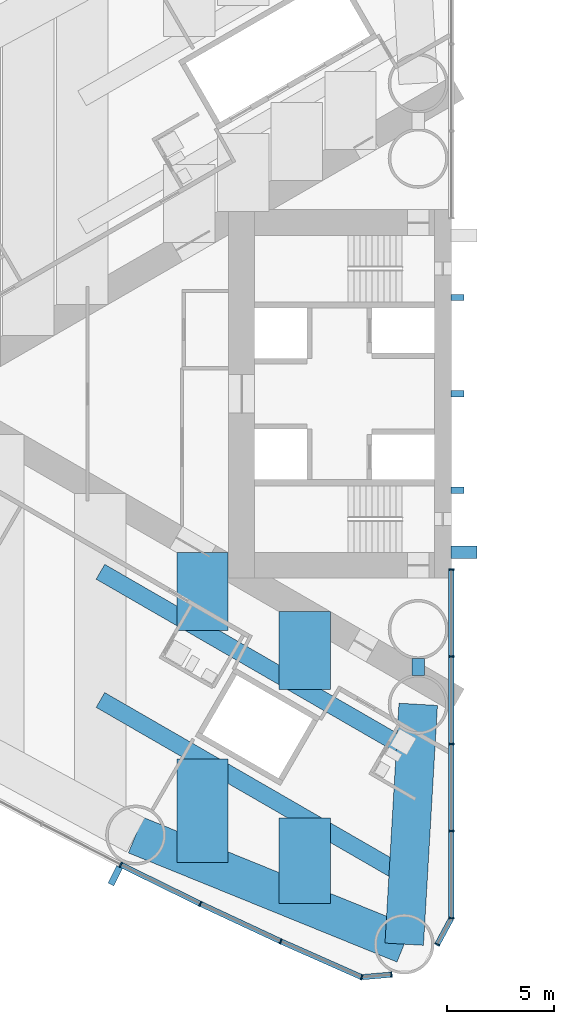
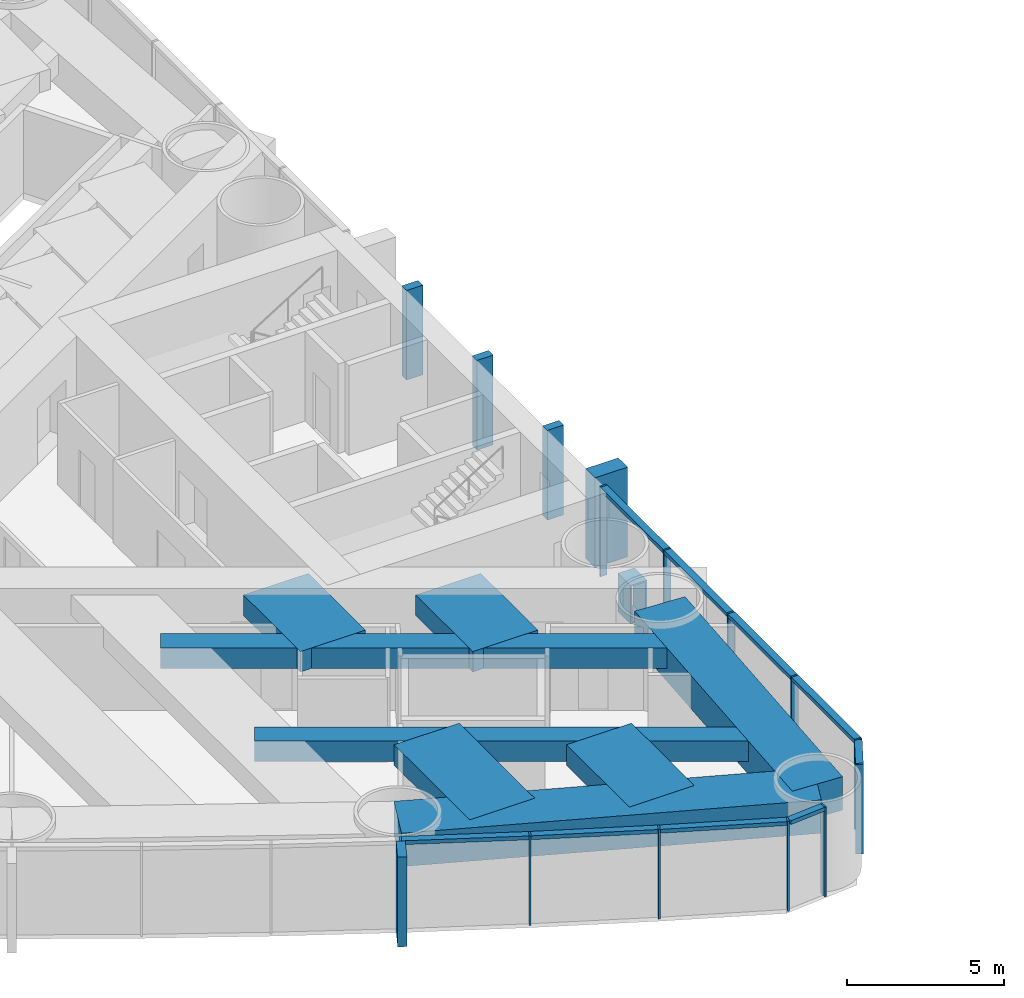
# One storey, part 3 of 18: 25 members, 9 beams, 2 elements without a shape of their own.
"""IFC4 building model written with IfcOpenShell, lengths in metres."""

from ifc_helpers import new_model, si_unit, direction, frame, origin, origin_2d, place, context, subcontext, project, spatial, rectangle, hollow_rectangle, extrude, material, material_profile, profile_set, type_object, element, aggregate, save


model = new_model("IFC4")

# Units and contexts
model_context = context("Model", 3, precision=1e-05, world=origin(), true_north=direction((0.0, 1.0)))
body_context = subcontext(model_context, "Body", "Model", "MODEL_VIEW")
ifc_project = project(units=[si_unit("LENGTHUNIT", "METRE"), si_unit("AREAUNIT", "SQUARE_METRE"), si_unit("VOLUMEUNIT", "CUBIC_METRE"), si_unit("PLANEANGLEUNIT", "RADIAN"), si_unit("MASSUNIT", "GRAM", prefix="KILO")], contexts=[model_context])

# Site, building, storey
site_placement = place(None, origin())
site = spatial("IfcSite", under=ifc_project, at=site_placement, CompositionType="ELEMENT")
building_placement = place(site_placement, origin())
building = spatial("IfcBuilding", under=site, at=building_placement, Name="Lancet Gate Hotel", CompositionType="ELEMENT")
storey_placement = place(building_placement, frame((0.0, 0.0, 42.5)))
storey = spatial("IfcBuildingStorey", under=building, at=storey_placement, Name="L10", CompositionType="ELEMENT", Elevation=42.5)

# Curtain wall, members
ifc_material_1 = material(Name="Aluminium curtain wall", Category="aluminium")
curtain_wall_type = type_object("IfcCurtainWallType", Name="Tower unitised curtain wall", PredefinedType="USERDEFINED", material=ifc_material_1)
curtain_wall_1_placement = place(storey_placement, origin())
curtain_wall_1 = element("IfcCurtainWall", 1, at=curtain_wall_1_placement, inside=storey, type_object=curtain_wall_type, Name="T1 L10 curtain wall 3", ObjectType="UNITISED CURTAIN WALL", PredefinedType="USERDEFINED")
ifc_material_2 = material(Name="Aluminium mullion", Category="aluminium")
ifc_material_profile_1 = material_profile(ifc_material_2, rectangle(XDim=0.06494140625, YDim=0.25, at=origin_2d()), Name="MULLION 65x250")
ifc_profile_set_1 = profile_set([ifc_material_profile_1], Name="Aluminium mullion")
member_type_1 = type_object("IfcMemberType", Name="Aluminium mullion 65x250", PredefinedType="MULLION", material=ifc_profile_set_1)
member_1_placement = place(storey_placement, frame((-42.94189453125, -21.991943359375, 0.0), z_axis=(0.0, 0.0, 1.0), x_axis=(0.893291549794, -0.449477704748, 0.0)))
member_1 = element("IfcMember", 2, at=member_1_placement, type_object=member_type_1, Name="T1 L10 curtain wall 3 mullion 11", PredefinedType="MULLION", context=body_context, shape_type="SweptSolid", body=[
    extrude(rectangle(XDim=0.06494140625, YDim=0.25, at=origin_2d()), origin(), (0.0, 0.0, 1.0), 3.5),
])
member_2_placement = place(storey_placement, frame((-39.225341796875, -23.816650390625, 0.0), z_axis=(0.0, 0.0, 1.0), x_axis=(0.901928838337, -0.431884672772, 0.0)))
member_2 = element("IfcMember", 3, at=member_2_placement, type_object=member_type_1, Name="T1 L10 curtain wall 3 mullion 12", PredefinedType="MULLION", context=body_context, shape_type="SweptSolid", body=[
    extrude(rectangle(XDim=0.06494140625, YDim=0.25, at=origin_2d()), origin(), (0.0, 0.0, 1.0), 3.5),
])
member_3_placement = place(storey_placement, frame((-35.473876953125, -25.568115234375, 0.0), z_axis=(0.0, 0.0, 1.0), x_axis=(0.910219680212, -0.414125746308, 0.0)))
member_3 = element("IfcMember", 4, at=member_3_placement, type_object=member_type_1, Name="T1 L10 curtain wall 3 mullion 13", PredefinedType="MULLION", context=body_context, shape_type="SweptSolid", body=[
    extrude(rectangle(XDim=0.06494140625, YDim=0.25, at=origin_2d()), origin(), (0.0, 0.0, 1.0), 3.5),
])
member_4_placement = place(storey_placement, frame((-31.688720703125, -27.24560546875, 0.0), z_axis=(0.0, 0.0, 1.0), x_axis=(0.957524354695, -0.288352406209, 0.0)))
member_4 = element("IfcMember", 5, at=member_4_placement, type_object=member_type_1, Name="T1 L10 curtain wall 3 mullion 14", PredefinedType="MULLION", context=body_context, shape_type="SweptSolid", body=[
    extrude(rectangle(XDim=0.06494140625, YDim=0.25, at=origin_2d()), origin(), (0.0, 0.0, 1.0), 3.5),
])
member_5_placement = place(storey_placement, frame((-30.3046875, -27.124755859375, 0.0), z_axis=(0.0, 0.0, 1.0), x_axis=(0.99620380374, 0.087051602022, 0.0)))
member_5 = element("IfcMember", 6, at=member_5_placement, type_object=member_type_1, Name="T1 L10 curtain wall 3 mullion 15", PredefinedType="MULLION", context=body_context, shape_type="SweptSolid", body=[
    extrude(rectangle(XDim=0.06494140625, YDim=0.25, at=origin_2d()), origin(), (0.0, 0.0, 1.0), 3.5),
])

curtain_wall_2_placement = place(storey_placement, origin())
curtain_wall_2 = element("IfcCurtainWall", 7, at=curtain_wall_2_placement, inside=storey, type_object=curtain_wall_type, Name="T1 L10 curtain wall 4", ObjectType="UNITISED CURTAIN WALL", PredefinedType="USERDEFINED")
member_6_placement = place(storey_placement, frame((-28.158935546875, -25.712890625, 0.0), z_axis=(0.0, 0.0, 1.0), x_axis=(0.474631040972, 0.880184852714, 0.0)))
member_6 = element("IfcMember", 8, at=member_6_placement, type_object=member_type_1, Name="T1 L10 curtain wall 4 mullion 1", PredefinedType="MULLION", context=body_context, shape_type="SweptSolid", body=[
    extrude(rectangle(XDim=0.06494140625, YDim=0.25, at=origin_2d()), origin(), (0.0, 0.0, 1.0), 3.5),
])
member_7_placement = place(storey_placement, frame((-27.5, -24.4912109375, 0.0), z_axis=(0.0, 0.0, 1.0), x_axis=(0.123482502544, 0.992346749662, 0.0)))
member_7 = element("IfcMember", 9, at=member_7_placement, type_object=member_type_1, Name="T1 L10 curtain wall 4 mullion 2", PredefinedType="MULLION", context=body_context, shape_type="SweptSolid", body=[
    extrude(rectangle(XDim=0.06494140625, YDim=0.25, at=origin_2d()), origin(), (0.0, 0.0, 1.0), 3.5),
])
member_8_placement = place(storey_placement, frame((-27.5, -20.41845703125, 0.0), z_axis=(0.0, 0.0, 1.0), x_axis=(0.0, 1.0, 0.0)))
member_8 = element("IfcMember", 10, at=member_8_placement, type_object=member_type_1, Name="T1 L10 curtain wall 4 mullion 3", PredefinedType="MULLION", context=body_context, shape_type="SweptSolid", body=[
    extrude(rectangle(XDim=0.06494140625, YDim=0.25, at=origin_2d()), origin(), (0.0, 0.0, 1.0), 3.5),
])
member_9_placement = place(storey_placement, frame((-27.5, -16.345703125, 0.0), z_axis=(0.0, 0.0, 1.0), x_axis=(0.0, 1.0, 0.0)))
member_9 = element("IfcMember", 11, at=member_9_placement, type_object=member_type_1, Name="T1 L10 curtain wall 4 mullion 4", PredefinedType="MULLION", context=body_context, shape_type="SweptSolid", body=[
    extrude(rectangle(XDim=0.06494140625, YDim=0.25, at=origin_2d()), origin(), (0.0, 0.0, 1.0), 3.5),
])
member_10_placement = place(storey_placement, frame((-27.5, -12.272705078125, 0.0), z_axis=(0.0, 0.0, 1.0), x_axis=(0.0, 1.0, 0.0)))
member_10 = element("IfcMember", 12, at=member_10_placement, type_object=member_type_1, Name="T1 L10 curtain wall 4 mullion 5", PredefinedType="MULLION", context=body_context, shape_type="SweptSolid", body=[
    extrude(rectangle(XDim=0.06494140625, YDim=0.25, at=origin_2d()), origin(), (0.0, 0.0, 1.0), 3.5),
])
member_11_placement = place(storey_placement, frame((-27.5, -8.199951171875, 0.0), z_axis=(0.0, 0.0, 1.0), x_axis=(0.0, 1.0, 0.0)))
member_11 = element("IfcMember", 13, at=member_11_placement, type_object=member_type_1, Name="T1 L10 curtain wall 4 mullion 6", PredefinedType="MULLION", context=body_context, shape_type="SweptSolid", body=[
    extrude(rectangle(XDim=0.06494140625, YDim=0.25, at=origin_2d()), origin(), (0.0, 0.0, 1.0), 3.5),
])

# Member
ifc_material_3 = material(Name="Aluminium transom", Category="aluminium")
ifc_material_profile_2 = material_profile(ifc_material_3, rectangle(XDim=0.25, YDim=0.14990234375, at=origin_2d()), Name="TRANSOM 250x150")
ifc_profile_set_2 = profile_set([ifc_material_profile_2], Name="Aluminium transom")
member_type_2 = type_object("IfcMemberType", Name="Aluminium transom 250x150", PredefinedType="USERDEFINED", material=ifc_profile_set_2)
member_12_placement = place(storey_placement, frame((-42.912841796875, -22.00634765625, 3.425048828125), z_axis=(0.897662439958, -0.440683723194, 0.0), x_axis=(0.440683723194, 0.897662439958, 0.0)))
member_12 = element("IfcMember", 14, at=member_12_placement, type_object=member_type_2, Name="T1 L10 curtain wall 3 transom 11", ObjectType="TRANSOM", PredefinedType="USERDEFINED", context=body_context, shape_type="SweptSolid", body=[
    extrude(rectangle(XDim=0.25, YDim=0.14990234375, at=origin_2d()), origin(), (0.0, 0.0, 1.0), 4.0751953125),
])

member_13_placement = place(storey_placement, frame((-39.196044921875, -23.830322265625, 3.425048828125), z_axis=(0.906109667261, -0.423042871228, 0.0), x_axis=(0.423042871228, 0.906109667261, 0.0)))
member_13 = element("IfcMember", 15, at=member_13_placement, type_object=member_type_2, Name="T1 L10 curtain wall 3 transom 12", ObjectType="TRANSOM", PredefinedType="USERDEFINED", context=body_context, shape_type="SweptSolid", body=[
    extrude(rectangle(XDim=0.25, YDim=0.14990234375, at=origin_2d()), origin(), (0.0, 0.0, 1.0), 4.075439453125),
])

member_14_placement = place(storey_placement, frame((-35.444091796875, -25.581298828125, 3.425048828125), z_axis=(0.914248281954, -0.405154389022, 0.0), x_axis=(0.405154389022, 0.914248281954, 0.0)))
member_14 = element("IfcMember", 16, at=member_14_placement, type_object=member_type_2, Name="T1 L10 curtain wall 3 transom 13", ObjectType="TRANSOM", PredefinedType="USERDEFINED", context=body_context, shape_type="SweptSolid", body=[
    extrude(rectangle(XDim=0.25, YDim=0.14990234375, at=origin_2d()), origin(), (0.0, 0.0, 1.0), 4.0751953125),
])

member_15_placement = place(storey_placement, frame((-31.65625, -27.242919921875, 3.425048828125), z_axis=(0.99620591587, 0.087027427779, 0.0), x_axis=(-0.087027427779, 0.99620591587, 0.0)))
member_15 = element("IfcMember", 17, at=member_15_placement, type_object=member_type_2, Name="T1 L10 curtain wall 3 transom 14", ObjectType="TRANSOM", PredefinedType="USERDEFINED", context=body_context, shape_type="SweptSolid", body=[
    extrude(rectangle(XDim=0.25, YDim=0.14990234375, at=origin_2d()), origin(), (0.0, 0.0, 1.0), 1.32421875),
])

member_16_placement = place(storey_placement, frame((-28.143310546875, -25.684326171875, 3.425048828125), z_axis=(0.474605926905, 0.880198394765, 0.0), x_axis=(-0.880198394765, 0.474605926905, 0.0)))
member_16 = element("IfcMember", 18, at=member_16_placement, type_object=member_type_2, Name="T1 L10 curtain wall 4 transom 1", ObjectType="TRANSOM", PredefinedType="USERDEFINED", context=body_context, shape_type="SweptSolid", body=[
    extrude(rectangle(XDim=0.25, YDim=0.14990234375, at=origin_2d()), origin(), (0.0, 0.0, 1.0), 1.322998046875),
])

member_17_placement = place(storey_placement, frame((-27.5, -24.458740234375, 3.425048828125), z_axis=(0.0, 1.0, 0.0), x_axis=(-1.0, 0.0, 0.0)))
member_17 = element("IfcMember", 19, at=member_17_placement, type_object=member_type_2, Name="T1 L10 curtain wall 4 transom 2", ObjectType="TRANSOM", PredefinedType="USERDEFINED", context=body_context, shape_type="SweptSolid", body=[
    extrude(rectangle(XDim=0.25, YDim=0.14990234375, at=origin_2d()), origin(), (0.0, 0.0, 1.0), 4.0078125),
])

member_18_placement = place(storey_placement, frame((-27.5, -20.385986328125, 3.425048828125), z_axis=(0.0, 1.0, 0.0), x_axis=(-1.0, 0.0, 0.0)))
member_18 = element("IfcMember", 20, at=member_18_placement, type_object=member_type_2, Name="T1 L10 curtain wall 4 transom 3", ObjectType="TRANSOM", PredefinedType="USERDEFINED", context=body_context, shape_type="SweptSolid", body=[
    extrude(rectangle(XDim=0.25, YDim=0.14990234375, at=origin_2d()), origin(), (0.0, 0.0, 1.0), 4.0078125),
])

member_19_placement = place(storey_placement, frame((-27.5, -16.31298828125, 3.425048828125), z_axis=(0.0, 1.0, 0.0), x_axis=(-1.0, 0.0, 0.0)))
member_19 = element("IfcMember", 21, at=member_19_placement, type_object=member_type_2, Name="T1 L10 curtain wall 4 transom 4", ObjectType="TRANSOM", PredefinedType="USERDEFINED", context=body_context, shape_type="SweptSolid", body=[
    extrude(rectangle(XDim=0.25, YDim=0.14990234375, at=origin_2d()), origin(), (0.0, 0.0, 1.0), 4.0078125),
])

member_20_placement = place(storey_placement, frame((-27.5, -12.240234375, 3.425048828125), z_axis=(0.0, 1.0, 0.0), x_axis=(-1.0, 0.0, 0.0)))
member_20 = element("IfcMember", 22, at=member_20_placement, type_object=member_type_2, Name="T1 L10 curtain wall 4 transom 5", ObjectType="TRANSOM", PredefinedType="USERDEFINED", context=body_context, shape_type="SweptSolid", body=[
    extrude(rectangle(XDim=0.25, YDim=0.14990234375, at=origin_2d()), origin(), (0.0, 0.0, 1.0), 4.0078125),
])

aggregate(curtain_wall_2, [member_6, member_7, member_8, member_9, member_10, member_11, member_16, member_17, member_18, member_19, member_20])

# Beams
ifc_material_4 = material(Name="Concrete C50/60", Category="concrete")
ifc_material_profile_3 = material_profile(ifc_material_4, rectangle(XDim=1.800048828125, YDim=1.300048828125, at=origin_2d()), Name="RC 1800x1300")
ifc_profile_set_3 = profile_set([ifc_material_profile_3], Name="Concrete C50/60")
beam_type_1 = type_object("IfcBeamType", Name="Edge beam RC 1800x1300", PredefinedType="SPANDREL", material=ifc_profile_set_3)
beam_1_placement = place(storey_placement, frame((-42.2451171875, -20.607421875, 2.60009765625), z_axis=(0.926463236197, -0.376385270667, 0.0), x_axis=(0.376385270667, 0.926463236197, 0.0)))
element("IfcBeam", 23, at=beam_1_placement, inside=storey, type_object=beam_type_1, Name="T1 edge beam EB1 L10", PredefinedType="SPANDREL", context=body_context, shape_type="SweptSolid", body=[
    extrude(rectangle(XDim=1.800048828125, YDim=1.300048828125, at=origin_2d()), origin(), (0.0, 0.0, 1.0), 13.537353515625),
])
beam_2_placement = place(storey_placement, frame((-29.050048828125, -14.5, 2.60009765625), z_axis=(-0.058219521912, -0.998303805096, 0.0), x_axis=(0.998303805096, -0.058219521912, 0.0)))
element("IfcBeam", 24, at=beam_2_placement, inside=storey, type_object=beam_type_1, Name="T1 edge beam EB1 L10", PredefinedType="SPANDREL", context=body_context, shape_type="SweptSolid", body=[
    extrude(rectangle(XDim=1.800048828125, YDim=1.300048828125, at=origin_2d()), origin(), (0.0, 0.0, 1.0), 11.2216796875),
])

# Member
ifc_material_5 = material(Name="Concrete C60/75", Category="concrete")
ifc_material_profile_4 = material_profile(ifc_material_5, rectangle(XDim=0.60009765625, YDim=1.199951171875, at=origin_2d()), Name="FIN 600x1200")
ifc_profile_set_4 = profile_set([ifc_material_profile_4], Name="Concrete C60/75")
member_type_3 = type_object("IfcMemberType", Name="Exposed concrete buttress pilaster 600x1200", PredefinedType="USERDEFINED", material=ifc_profile_set_4)
member_21_placement = place(storey_placement, frame((-26.909912109375, -7.39990234375, 0.0), z_axis=(0.0, 0.0, 1.0), x_axis=(0.0, 1.0, 0.0)))
element("IfcMember", 25, at=member_21_placement, inside=storey, type_object=member_type_3, Name="T1 buttress pilaster N L10", ObjectType="FIN", PredefinedType="USERDEFINED", context=body_context, shape_type="SweptSolid", body=[
    extrude(rectangle(XDim=0.60009765625, YDim=1.199951171875, at=origin_2d()), origin(), (0.0, 0.0, 1.0), 3.5),
])

ifc_material_6 = material(Name="Precast concrete C50/60", Category="concrete")
ifc_material_profile_5 = material_profile(ifc_material_6, rectangle(XDim=0.300048828125, YDim=0.89990234375, at=origin_2d()), Name="FIN 300x900")
ifc_profile_set_5 = profile_set([ifc_material_profile_5], Name="Precast concrete C50/60")
member_type_4 = type_object("IfcMemberType", Name="Exposed concrete fin 300x900", PredefinedType="USERDEFINED", material=ifc_profile_set_5)
member_22_placement = place(storey_placement, frame((-43.200439453125, -22.505615234375, 0.0), z_axis=(0.0, 0.0, 1.0), x_axis=(0.893291549794, -0.449477704748, 0.0)))
member_22 = element("IfcMember", 26, at=member_22_placement, type_object=member_type_4, Name="T1 L10 curtain wall 3 fin 11", ObjectType="FIN", PredefinedType="USERDEFINED", context=body_context, shape_type="SweptSolid", body=[
    extrude(rectangle(XDim=0.300048828125, YDim=0.89990234375, at=origin_2d()), origin(), (0.0, 0.0, 1.0), 3.5),
])

aggregate(curtain_wall_1, [member_1, member_22, member_2, member_3, member_4, member_5, member_12, member_13, member_14, member_15])

# Members
ifc_material_7 = material(Name="Concrete C60/75", Category="concrete")
ifc_material_profile_6 = material_profile(ifc_material_7, rectangle(XDim=0.300048828125, YDim=0.60009765625, at=origin_2d()), Name="FIN 300x600")
ifc_profile_set_6 = profile_set([ifc_material_profile_6], Name="Concrete C60/75")
member_type_5 = type_object("IfcMemberType", Name="Exposed concrete rib 300x600", PredefinedType="USERDEFINED", material=ifc_profile_set_6)
for number, where, z_axis, x_axis, name in (
    (27, (-27.2099609375, 4.5, 0.0), (0.0, 0.0, 1.0), (0.0, 1.0, 0.0), "T1 core rib 1 L10"),
    (28, (-27.2099609375, 0.0, 0.0), (0.0, 0.0, 1.0), (0.0, 1.0, 0.0), "T1 core rib 2 L10"),
    (29, (-27.2099609375, -4.5, 0.0), (0.0, 0.0, 1.0), (0.0, 1.0, 0.0), "T1 core rib 3 L10"),
):
    element("IfcMember", number, at=place(storey_placement, frame(where, z_axis=z_axis, x_axis=x_axis)), inside=storey, type_object=member_type_5, Name=name, ObjectType="FIN", PredefinedType="USERDEFINED", context=body_context, shape_type="SweptSolid", body=[
        extrude(rectangle(XDim=0.300048828125, YDim=0.60009765625, at=origin_2d()), origin(), (0.0, 0.0, 1.0), 3.5),
    ])

# Beams
ifc_material_8 = material(Name="Concrete C50/60", Category="concrete")
ifc_material_profile_7 = material_profile(ifc_material_8, rectangle(XDim=2.39990234375, YDim=0.800048828125, at=origin_2d()), Name="RC 2400x800")
ifc_profile_set_7 = profile_set([ifc_material_profile_7], Name="Concrete C50/60")
beam_type_2 = type_object("IfcBeamType", Name="Floor beam RC 2400x800", PredefinedType="BEAM", material=ifc_profile_set_7)
beam_3_placement = place(storey_placement, frame((-34.353515625, -10.169921875, 2.85009765625), z_axis=(0.0, -1.0, 0.0), x_axis=(1.0, 0.0, 0.0)))
element("IfcBeam", 30, at=beam_3_placement, inside=storey, type_object=beam_type_2, Name="T1 floor beam F03NA L10", PredefinedType="BEAM", context=body_context, shape_type="SweptSolid", body=[
    extrude(rectangle(XDim=2.39990234375, YDim=0.800048828125, at=origin_2d()), origin(), (0.0, 0.0, 1.0), 3.645751953125),
])
beam_4_placement = place(storey_placement, frame((-34.353515625, -19.802978515625, 2.85009765625), z_axis=(0.0, -1.0, 0.0), x_axis=(1.0, 0.0, 0.0)))
element("IfcBeam", 31, at=beam_4_placement, inside=storey, type_object=beam_type_2, Name="T1 floor beam F03NB L10", PredefinedType="BEAM", context=body_context, shape_type="SweptSolid", body=[
    extrude(rectangle(XDim=2.39990234375, YDim=0.800048828125, at=origin_2d()), origin(), (0.0, 0.0, 1.0), 4.010498046875),
])
beam_5_placement = place(storey_placement, frame((-39.122314453125, -7.41650390625, 2.85009765625), z_axis=(0.0, -1.0, 0.0), x_axis=(1.0, 0.0, 0.0)))
element("IfcBeam", 32, at=beam_5_placement, inside=storey, type_object=beam_type_2, Name="T1 floor beam F06NA L10", PredefinedType="BEAM", context=body_context, shape_type="SweptSolid", body=[
    extrude(rectangle(XDim=2.39990234375, YDim=0.800048828125, at=origin_2d()), origin(), (0.0, 0.0, 1.0), 3.64599609375),
])
beam_6_placement = place(storey_placement, frame((-39.122314453125, -17.0498046875, 2.85009765625), z_axis=(0.0, -1.0, 0.0), x_axis=(1.0, 0.0, 0.0)))
element("IfcBeam", 33, at=beam_6_placement, inside=storey, type_object=beam_type_2, Name="T1 floor beam F06NB L10", PredefinedType="BEAM", context=body_context, shape_type="SweptSolid", body=[
    extrude(rectangle(XDim=2.39990234375, YDim=0.800048828125, at=origin_2d()), origin(), (0.0, 0.0, 1.0), 4.826416015625),
])
ifc_material_9 = material(Name="Steel S460QL", Category="steel")
ifc_material_profile_8 = material_profile(ifc_material_9, hollow_rectangle(XDim=0.60009765625, YDim=1.5, WallThickness=0.050048828125, at=origin_2d()), Name="BOX 1500x600x50")
ifc_profile_set_8 = profile_set([ifc_material_profile_8], Name="Steel S460QL")
beam_type_3 = type_object("IfcBeamType", Name="Inner-face link beam BOX 1500x600x50", PredefinedType="BEAM", material=ifc_profile_set_8)
beam_7_placement = place(storey_placement, frame((-29.050048828125, -12.35009765625, 2.5), z_axis=(0.0, -1.0, 0.0), x_axis=(1.0, 0.0, 0.0)))
element("IfcBeam", 34, at=beam_7_placement, inside=storey, type_object=beam_type_3, Name="T1 inner-face link beam LK1 L10", PredefinedType="BEAM", context=body_context, shape_type="SweptSolid", body=[
    extrude(hollow_rectangle(XDim=0.60009765625, YDim=1.5, WallThickness=0.050048828125, at=origin_2d()), origin(), (0.0, 0.0, 1.0), 0.7998046875),
])
ifc_material_10 = material(Name="Steel S460QL", Category="steel")
ifc_material_profile_9 = material_profile(ifc_material_10, hollow_rectangle(XDim=0.800048828125, YDim=0.800048828125, WallThickness=0.080078125, at=origin_2d()), Name="BOX 800x800x80")
ifc_profile_set_9 = profile_set([ifc_material_profile_9], Name="Steel S460QL")
beam_type_4 = type_object("IfcBeamType", Name="Trimmer beam BOX 800x800x80", PredefinedType="BEAM", material=ifc_profile_set_9)
for number, where, z_axis, x_axis, name in (
    (35, (-29.58447265625, -22.55615234375, 2.85009765625), (-0.866040141834, 0.49997447208, 0.0), (-0.49997447208, -0.866040141834, 0.0), "T1 trimmer beam TR03N L10"),
    (36, (-29.58447265625, -16.56884765625, 2.85009765625), (-0.866040141834, 0.49997447208, 0.0), (-0.49997447208, -0.866040141834, 0.0), "T1 trimmer beam TR04N L10"),
):
    element("IfcBeam", number, at=place(storey_placement, frame(where, z_axis=z_axis, x_axis=x_axis)), inside=storey, type_object=beam_type_4, Name=name, PredefinedType="BEAM", context=body_context, shape_type="SweptSolid", body=[
        extrude(hollow_rectangle(XDim=0.800048828125, YDim=0.800048828125, WallThickness=0.080078125, at=origin_2d()), origin(), (0.0, 0.0, 1.0), 16.519775390625),
    ])

save(model, "model.ifc")
